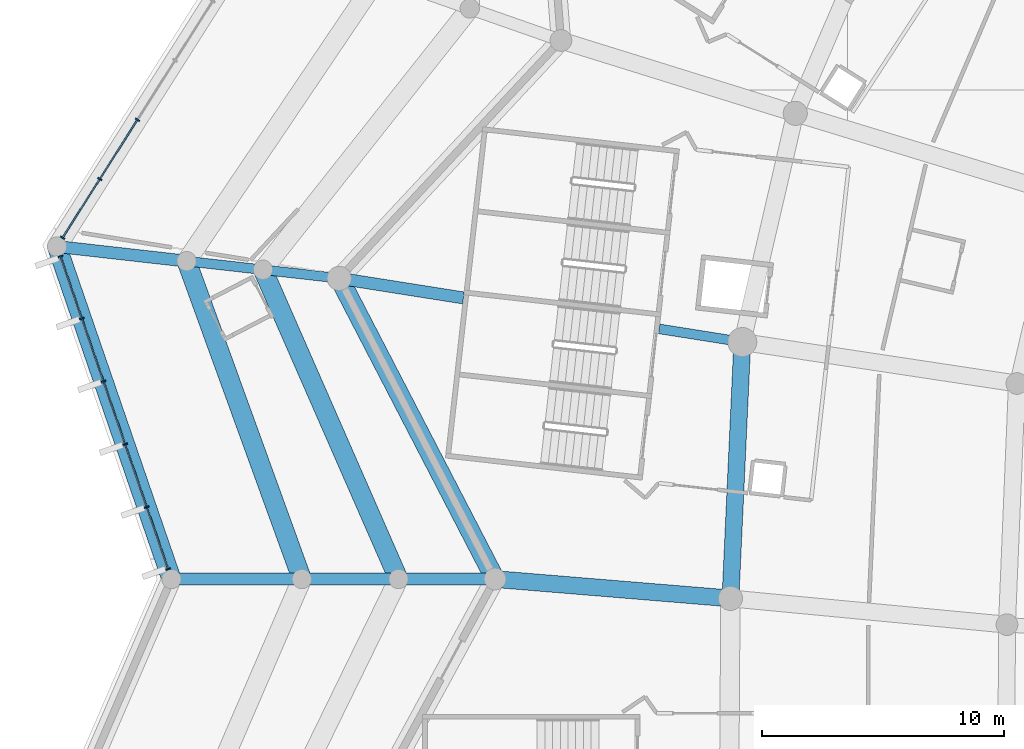
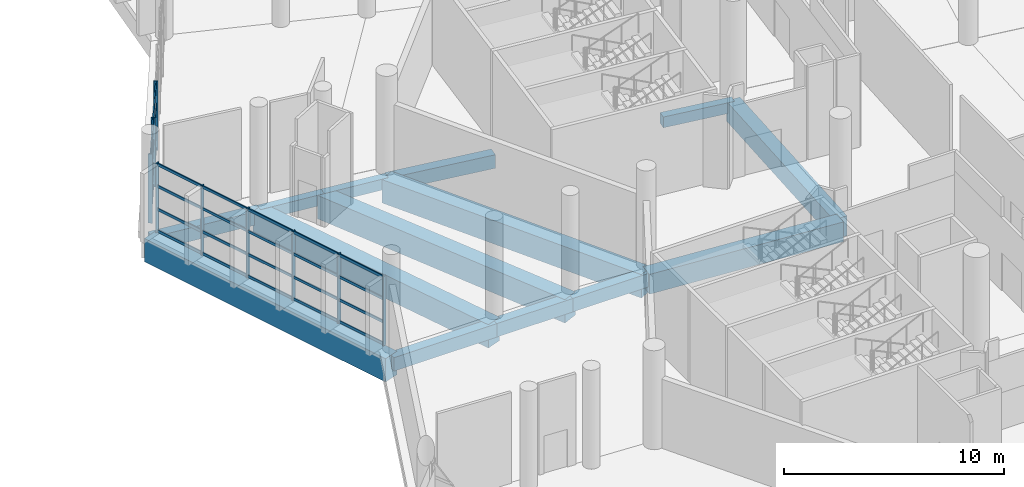
# One storey, part 71 of 271: 37 members, 14 beams, 2 elements without a shape of their own.
"""IFC4 building model written with IfcOpenShell, lengths in metres."""

from ifc_helpers import new_model, si_unit, direction, frame, origin, origin_2d, place, context, subcontext, project, spatial, rectangle, extrude, material, layer, layer_set, material_profile, profile_set, type_object, element, aggregate, save


model = new_model("IFC4")

# Units and contexts
model_context = context("Model", 3, precision=1e-05, world=origin(), true_north=direction((0.0, 1.0)))
body_context = subcontext(model_context, "Body", "Model", "MODEL_VIEW")
ifc_project = project(units=[si_unit("LENGTHUNIT", "METRE"), si_unit("AREAUNIT", "SQUARE_METRE"), si_unit("VOLUMEUNIT", "CUBIC_METRE"), si_unit("PLANEANGLEUNIT", "RADIAN"), si_unit("MASSUNIT", "GRAM", prefix="KILO")], contexts=[model_context])

# Site, building, storey
site_placement = place(None, origin())
site = spatial("IfcSite", under=ifc_project, at=site_placement, CompositionType="ELEMENT")
building_placement = place(site_placement, origin())
building = spatial("IfcBuilding", under=site, at=building_placement, Name="Meseta Stadium", CompositionType="ELEMENT")
storey_placement = place(building_placement, frame((0.0, 0.0, 6.5)))
storey = spatial("IfcBuildingStorey", under=building, at=storey_placement, Name="L01", CompositionType="ELEMENT", Elevation=6.5)

# Beams
ifc_material_1 = material(Name="Concrete C40/50", Category="concrete")
ifc_material_profile_1 = material_profile(ifc_material_1, rectangle(XDim=0.39990234375, YDim=0.60009765625, at=origin_2d()), Name="RC 400x600")
ifc_profile_set_1 = profile_set([ifc_material_profile_1], Name="Concrete C40/50")
beam_type_1 = type_object("IfcBeamType", Name="RC beam 400x600", PredefinedType="BEAM", material=ifc_profile_set_1)
beam_1_placement = place(storey_placement, frame((-84.36328125, 53.5654296875, -0.64990234375), z_axis=(-0.987745905014, 0.156070583799, 0.0), x_axis=(-0.156070583799, -0.987745905014, 0.0)))
element("IfcBeam", 1, at=beam_1_placement, inside=storey, type_object=beam_type_1, Name="L01 radial beam frame 28 line P to R", PredefinedType="BEAM", context=body_context, shape_type="SweptSolid", body=[
    extrude(rectangle(XDim=0.39990234375, YDim=0.60009765625, at=origin_2d()), origin(), (0.0, 0.0, 1.0), 3.482177734375),
])
beam_2_placement = place(storey_placement, frame((-101.0517578125, 56.202880859375, -0.64990234375), z_axis=(-0.99371595508, 0.111931231652, 0.0), x_axis=(-0.111931231652, -0.99371595508, 0.0)))
element("IfcBeam", 2, at=beam_2_placement, inside=storey, type_object=beam_type_1, Name="L01 radial beam frame 28 line R to M", PredefinedType="BEAM", context=body_context, shape_type="SweptSolid", body=[
    extrude(rectangle(XDim=0.39990234375, YDim=0.60009765625, at=origin_2d()), origin(), (0.0, 0.0, 1.0), 3.18017578125),
])
beam_3_placement = place(storey_placement, frame((-104.2119140625, 56.558837890625, -0.64990234375), z_axis=(-0.993708376267, 0.111998495247, 0.0), x_axis=(-0.111998495247, -0.993708376267, 0.0)))
element("IfcBeam", 3, at=beam_3_placement, inside=storey, type_object=beam_type_1, Name="L01 radial beam frame 28 line M to Q", PredefinedType="BEAM", context=body_context, shape_type="SweptSolid", body=[
    extrude(rectangle(XDim=0.39990234375, YDim=0.60009765625, at=origin_2d()), origin(), (0.0, 0.0, 1.0), 3.180419921875),
])
ifc_material_2 = material(Name="Concrete C40/50", Category="concrete")
ifc_material_profile_2 = material_profile(ifc_material_2, rectangle(XDim=0.5, YDim=0.75, at=origin_2d()), Name="RC 500x750")
ifc_profile_set_2 = profile_set([ifc_material_profile_2], Name="Concrete C40/50")
beam_type_2 = type_object("IfcBeamType", Name="RC beam 500x750", PredefinedType="BEAM", material=ifc_profile_set_2)
beam_4_placement = place(storey_placement, frame((-95.910400390625, 55.390380859375, -0.72509765625), z_axis=(-0.987742039994, 0.156095042932, 0.0), x_axis=(-0.156095042932, -0.987742039994, 0.0)))
element("IfcBeam", 4, at=beam_4_placement, inside=storey, type_object=beam_type_2, Name="L01 radial beam frame 28 line P to R", PredefinedType="BEAM", context=body_context, shape_type="SweptSolid", body=[
    extrude(rectangle(XDim=0.5, YDim=0.75, at=origin_2d()), origin(), (0.0, 0.0, 1.0), 5.205078125),
])
beam_5_placement = place(storey_placement, frame((-107.372314453125, 56.9150390625, -0.72509765625), z_axis=(-0.993714415722, 0.111944897098, 0.0), x_axis=(-0.111944897098, -0.993714415722, 0.0)))
element("IfcBeam", 5, at=beam_5_placement, inside=storey, type_object=beam_type_2, Name="L01 radial beam frame 28 line Q to O", PredefinedType="BEAM", context=body_context, shape_type="SweptSolid", body=[
    extrude(rectangle(XDim=0.5, YDim=0.75, at=origin_2d()), origin(), (0.0, 0.0, 1.0), 5.39990234375),
])
for number, where, z_axis, x_axis, name in (
    (6, (-94.60009765625, 43.75, -0.72509765625), (-1.0, 0.0, 0.0), (0.0, -1.0, 0.0), "L01 radial beam frame 29 line R to M"),
    (7, (-98.60009765625, 43.75, -0.72509765625), (-1.0, 0.0, 0.0), (0.0, -1.0, 0.0), "L01 radial beam frame 29 line M to Q"),
):
    element("IfcBeam", number, at=place(storey_placement, frame(where, z_axis=z_axis, x_axis=x_axis)), inside=storey, type_object=beam_type_2, Name=name, PredefinedType="BEAM", context=body_context, shape_type="SweptSolid", body=[
        extrude(rectangle(XDim=0.5, YDim=0.75, at=origin_2d()), origin(), (0.0, 0.0, 1.0), 4.0),
    ])
beam_6_placement = place(storey_placement, frame((-102.60009765625, 43.75, -0.72509765625), z_axis=(-1.0, 0.0, 0.0), x_axis=(0.0, -1.0, 0.0)))
element("IfcBeam", 8, at=beam_6_placement, inside=storey, type_object=beam_type_2, Name="L01 radial beam frame 29 line Q to O", PredefinedType="BEAM", context=body_context, shape_type="SweptSolid", body=[
    extrude(rectangle(XDim=0.5, YDim=0.75, at=origin_2d()), origin(), (0.0, 0.0, 1.0), 5.39990234375),
])
ifc_material_3 = material(Name="Concrete C40/50", Category="concrete")
ifc_material_profile_3 = material_profile(ifc_material_3, rectangle(XDim=0.699951171875, YDim=1.10009765625, at=origin_2d()), Name="RC 700x1100")
ifc_profile_set_3 = profile_set([ifc_material_profile_3], Name="Concrete C40/50")
beam_type_3 = type_object("IfcBeamType", Name="RC beam 700x1100", PredefinedType="BEAM", material=ifc_profile_set_3)
beam_7_placement = place(storey_placement, frame((-84.36328125, 53.5654296875, -0.89990234375), z_axis=(-0.046171416705, -0.998933531462, 0.0), x_axis=(0.998933531462, -0.046171416705, 0.0)))
element("IfcBeam", 9, at=beam_7_placement, inside=storey, type_object=beam_type_3, Name="L01 ring beam frame 28 line P", PredefinedType="BEAM", context=body_context, shape_type="SweptSolid", body=[
    extrude(rectangle(XDim=0.699951171875, YDim=1.10009765625, at=origin_2d()), origin(), (0.0, 0.0, 1.0), 10.628173828125),
])
beam_8_placement = place(storey_placement, frame((-84.85400390625, 42.948486328125, -0.89990234375), z_axis=(-0.996635391437, 0.081962775303, 0.0), x_axis=(-0.081962775303, -0.996635391437, 0.0)))
element("IfcBeam", 10, at=beam_8_placement, inside=storey, type_object=beam_type_3, Name="L01 radial beam frame 29 line P to R", PredefinedType="BEAM", context=body_context, shape_type="SweptSolid", body=[
    extrude(rectangle(XDim=0.699951171875, YDim=1.10009765625, at=origin_2d()), origin(), (0.0, 0.0, 1.0), 9.779052734375),
])
ifc_material_4 = material(Name="Concrete C40/50", Category="concrete")
ifc_material_profile_4 = material_profile(ifc_material_4, rectangle(XDim=0.800048828125, YDim=1.300048828125, at=origin_2d()), Name="RC 800x1300")
ifc_profile_set_4 = profile_set([ifc_material_profile_4], Name="Concrete C40/50")
beam_type_4 = type_object("IfcBeamType", Name="RC beam 800x1300", PredefinedType="BEAM", material=ifc_profile_set_4)
beam_9_placement = place(storey_placement, frame((-101.0517578125, 56.202880859375, -1.0), z_axis=(0.460014301189, -0.887911506121, 0.0), x_axis=(0.887911506121, 0.460014301189, 0.0)))
element("IfcBeam", 11, at=beam_9_placement, inside=storey, type_object=beam_type_4, Name="L01 ring beam frame 28 line R", PredefinedType="BEAM", context=body_context, shape_type="SweptSolid", body=[
    extrude(rectangle(XDim=0.800048828125, YDim=1.300048828125, at=origin_2d()), origin(), (0.0, 0.0, 1.0), 14.02490234375),
])
beam_10_placement = place(storey_placement, frame((-104.2119140625, 56.558837890625, -1.0), z_axis=(0.401295934377, -0.915948455456, 0.0), x_axis=(0.915948455456, 0.401295934377, 0.0)))
element("IfcBeam", 12, at=beam_10_placement, inside=storey, type_object=beam_type_4, Name="L01 ring beam frame 28 line M", PredefinedType="BEAM", context=body_context, shape_type="SweptSolid", body=[
    extrude(rectangle(XDim=0.800048828125, YDim=1.300048828125, at=origin_2d()), origin(), (0.0, 0.0, 1.0), 13.984130859375),
])
beam_11_placement = place(storey_placement, frame((-107.372314453125, 56.9150390625, -1.0), z_axis=(0.340792389295, -0.940138578827, 0.0), x_axis=(0.940138578827, 0.340792389295, 0.0)))
element("IfcBeam", 13, at=beam_11_placement, inside=storey, type_object=beam_type_4, Name="L01 ring beam frame 28 line Q", PredefinedType="BEAM", context=body_context, shape_type="SweptSolid", body=[
    extrude(rectangle(XDim=0.800048828125, YDim=1.300048828125, at=origin_2d()), origin(), (0.0, 0.0, 1.0), 14.00341796875),
])
beam_12_placement = place(storey_placement, frame((-112.73828125, 57.51953125, -1.0), z_axis=(0.325387125895, -0.945580889349, 0.0), x_axis=(0.945580889349, 0.325387125895, 0.0)))
element("IfcBeam", 14, at=beam_12_placement, inside=storey, type_object=beam_type_4, Name="L01 ring beam frame 28 line O", PredefinedType="BEAM", context=body_context, shape_type="SweptSolid", body=[
    extrude(rectangle(XDim=0.800048828125, YDim=1.300048828125, at=origin_2d()), origin(), (0.0, 0.0, 1.0), 14.56201171875),
])

# Curtain wall, members
ifc_material_5 = material(Name="Aluminium", Category="aluminium")
ifc_layer = layer(ifc_material_5, 0.199951171875)
ifc_layer_set = layer_set([ifc_layer], Name="Ring shopfront curtain wall")
curtain_wall_type = type_object("IfcCurtainWallType", Name="Ring shopfront curtain wall", PredefinedType="NOTDEFINED", material=ifc_layer_set)
curtain_wall_1_placement = place(storey_placement, origin())
curtain_wall_1 = element("IfcCurtainWall", 15, at=curtain_wall_1_placement, inside=storey, type_object=curtain_wall_type, Name="Ring glazing L01 F27", PredefinedType="NOTDEFINED")
ifc_material_6 = material(Name="Aluminium", Category="aluminium")
ifc_material_profile_5 = material_profile(ifc_material_6, rectangle(XDim=0.199951171875, YDim=0.06005859375, at=origin_2d()), Name="CW 200x60")
ifc_profile_set_5 = profile_set([ifc_material_profile_5], Name="Aluminium")
member_type_1 = type_object("IfcMemberType", Name="Ring CW mullion 60x200", PredefinedType="MULLION", material=ifc_profile_set_5)
member_1_placement = place(storey_placement, frame((-109.408447265625, 62.770263671875, 0.0), z_axis=(0.0, 0.0, 1.0), x_axis=(0.844491436677, -0.535569055659, 0.0)))
member_1 = element("IfcMember", 16, at=member_1_placement, type_object=member_type_1, Name="CWR1 mullion 4", PredefinedType="MULLION", context=body_context, shape_type="SweptSolid", body=[
    extrude(rectangle(XDim=0.199951171875, YDim=0.06005859375, at=origin_2d()), origin(), (0.0, 0.0, 1.0), 3.85009765625),
])
member_2_placement = place(storey_placement, frame((-110.96630859375, 60.313720703125, 0.0), z_axis=(0.0, 0.0, 1.0), x_axis=(0.844491436677, -0.535569055659, 0.0)))
member_2 = element("IfcMember", 17, at=member_2_placement, type_object=member_type_1, Name="CWR1 mullion 5", PredefinedType="MULLION", context=body_context, shape_type="SweptSolid", body=[
    extrude(rectangle(XDim=0.199951171875, YDim=0.06005859375, at=origin_2d()), origin(), (0.0, 0.0, 1.0), 3.85009765625),
])
member_3_placement = place(storey_placement, frame((-112.508056640625, 57.8828125, 0.0), z_axis=(0.0, 0.0, 1.0), x_axis=(0.844491436677, -0.535569055659, 0.0)))
member_3 = element("IfcMember", 18, at=member_3_placement, type_object=member_type_1, Name="CWR1 mullion 6", PredefinedType="MULLION", context=body_context, shape_type="SweptSolid", body=[
    extrude(rectangle(XDim=0.199951171875, YDim=0.06005859375, at=origin_2d()), origin(), (0.0, 0.0, 1.0), 3.85009765625),
])

curtain_wall_2_placement = place(storey_placement, origin())
curtain_wall_2 = element("IfcCurtainWall", 19, at=curtain_wall_2_placement, inside=storey, type_object=curtain_wall_type, Name="Ring glazing L01 F28", PredefinedType="NOTDEFINED")
member_4_placement = place(storey_placement, frame((-112.598388671875, 57.113037109375, 0.0), z_axis=(0.0, 0.0, 1.0), x_axis=(0.945581280042, 0.325385990532, 0.0)))
member_4 = element("IfcMember", 20, at=member_4_placement, type_object=member_type_1, Name="CWR1 mullion 1", PredefinedType="MULLION", context=body_context, shape_type="SweptSolid", body=[
    extrude(rectangle(XDim=0.199951171875, YDim=0.06005859375, at=origin_2d()), origin(), (0.0, 0.0, 1.0), 3.85009765625),
])
member_5_placement = place(storey_placement, frame((-111.712646484375, 54.538818359375, 0.0), z_axis=(0.0, 0.0, 1.0), x_axis=(0.945581280042, 0.325385990532, 0.0)))
member_5 = element("IfcMember", 21, at=member_5_placement, type_object=member_type_1, Name="CWR1 mullion 2", PredefinedType="MULLION", context=body_context, shape_type="SweptSolid", body=[
    extrude(rectangle(XDim=0.199951171875, YDim=0.06005859375, at=origin_2d()), origin(), (0.0, 0.0, 1.0), 3.85009765625),
])
member_6_placement = place(storey_placement, frame((-110.81689453125, 51.93603515625, 0.0), z_axis=(0.0, 0.0, 1.0), x_axis=(0.945581280042, 0.325385990532, 0.0)))
member_6 = element("IfcMember", 22, at=member_6_placement, type_object=member_type_1, Name="CWR1 mullion 3", PredefinedType="MULLION", context=body_context, shape_type="SweptSolid", body=[
    extrude(rectangle(XDim=0.199951171875, YDim=0.06005859375, at=origin_2d()), origin(), (0.0, 0.0, 1.0), 3.85009765625),
])
member_7_placement = place(storey_placement, frame((-109.92138671875, 49.33349609375, 0.0), z_axis=(0.0, 0.0, 1.0), x_axis=(0.945581280042, 0.325385990532, 0.0)))
member_7 = element("IfcMember", 23, at=member_7_placement, type_object=member_type_1, Name="CWR1 mullion 4", PredefinedType="MULLION", context=body_context, shape_type="SweptSolid", body=[
    extrude(rectangle(XDim=0.199951171875, YDim=0.06005859375, at=origin_2d()), origin(), (0.0, 0.0, 1.0), 3.85009765625),
])
member_8_placement = place(storey_placement, frame((-109.02587890625, 46.73095703125, 0.0), z_axis=(0.0, 0.0, 1.0), x_axis=(0.945581280042, 0.325385990532, 0.0)))
member_8 = element("IfcMember", 24, at=member_8_placement, type_object=member_type_1, Name="CWR1 mullion 5", PredefinedType="MULLION", context=body_context, shape_type="SweptSolid", body=[
    extrude(rectangle(XDim=0.199951171875, YDim=0.06005859375, at=origin_2d()), origin(), (0.0, 0.0, 1.0), 3.85009765625),
])
member_9_placement = place(storey_placement, frame((-108.139892578125, 44.156494140625, 0.0), z_axis=(0.0, 0.0, 1.0), x_axis=(0.945581280042, 0.325385990532, 0.0)))
member_9 = element("IfcMember", 25, at=member_9_placement, type_object=member_type_1, Name="CWR1 mullion 6", PredefinedType="MULLION", context=body_context, shape_type="SweptSolid", body=[
    extrude(rectangle(XDim=0.199951171875, YDim=0.06005859375, at=origin_2d()), origin(), (0.0, 0.0, 1.0), 3.85009765625),
])

# Member
ifc_material_7 = material(Name="Aluminium", Category="aluminium")
ifc_material_profile_6 = material_profile(ifc_material_7, rectangle(XDim=0.06005859375, YDim=0.14990234375, at=origin_2d()), Name="CW 60x150")
ifc_profile_set_6 = profile_set([ifc_material_profile_6], Name="Aluminium")
member_type_2 = type_object("IfcMemberType", Name="Ring CW transom 60x150", PredefinedType="USERDEFINED", material=ifc_profile_set_6)
member_10_placement = place(storey_placement, frame((-109.424560546875, 62.744873046875, 0.074951171875), z_axis=(-0.535549479234, -0.844503851556, 0.0), x_axis=(0.844503851556, -0.535549479234, 0.0)))
member_10 = element("IfcMember", 26, at=member_10_placement, type_object=member_type_2, Name="CWR1 transom 4.1", ObjectType="TRANSOM", PredefinedType="USERDEFINED", context=body_context, shape_type="SweptSolid", body=[
    extrude(rectangle(XDim=0.06005859375, YDim=0.14990234375, at=origin_2d()), origin(), (0.0, 0.0, 1.0), 2.8486328125),
])

member_11_placement = place(storey_placement, frame((-109.424560546875, 62.744873046875, 1.283447265625), z_axis=(-0.535549479234, -0.844503851556, 0.0), x_axis=(0.844503851556, -0.535549479234, 0.0)))
member_11 = element("IfcMember", 27, at=member_11_placement, type_object=member_type_2, Name="CWR1 transom 4.2", ObjectType="TRANSOM", PredefinedType="USERDEFINED", context=body_context, shape_type="SweptSolid", body=[
    extrude(rectangle(XDim=0.06005859375, YDim=0.14990234375, at=origin_2d()), origin(), (0.0, 0.0, 1.0), 2.8486328125),
])

member_12_placement = place(storey_placement, frame((-109.424560546875, 62.744873046875, 2.566650390625), z_axis=(-0.535549479234, -0.844503851556, 0.0), x_axis=(0.844503851556, -0.535549479234, 0.0)))
member_12 = element("IfcMember", 28, at=member_12_placement, type_object=member_type_2, Name="CWR1 transom 4.3", ObjectType="TRANSOM", PredefinedType="USERDEFINED", context=body_context, shape_type="SweptSolid", body=[
    extrude(rectangle(XDim=0.06005859375, YDim=0.14990234375, at=origin_2d()), origin(), (0.0, 0.0, 1.0), 2.8486328125),
])

member_13_placement = place(storey_placement, frame((-109.424560546875, 62.744873046875, 3.77490234375), z_axis=(-0.535549479234, -0.844503851556, 0.0), x_axis=(0.844503851556, -0.535549479234, 0.0)))
member_13 = element("IfcMember", 29, at=member_13_placement, type_object=member_type_2, Name="CWR1 transom 4.4", ObjectType="TRANSOM", PredefinedType="USERDEFINED", context=body_context, shape_type="SweptSolid", body=[
    extrude(rectangle(XDim=0.06005859375, YDim=0.14990234375, at=origin_2d()), origin(), (0.0, 0.0, 1.0), 2.8486328125),
])

member_14_placement = place(storey_placement, frame((-110.982421875, 60.28857421875, 0.074951171875), z_axis=(-0.535569142157, -0.84449138182, 0.0), x_axis=(0.84449138182, -0.535569142157, 0.0)))
member_14 = element("IfcMember", 30, at=member_14_placement, type_object=member_type_2, Name="CWR1 transom 5.1", ObjectType="TRANSOM", PredefinedType="USERDEFINED", context=body_context, shape_type="SweptSolid", body=[
    extrude(rectangle(XDim=0.06005859375, YDim=0.14990234375, at=origin_2d()), origin(), (0.0, 0.0, 1.0), 2.819091796875),
])

member_15_placement = place(storey_placement, frame((-110.982421875, 60.28857421875, 1.283447265625), z_axis=(-0.535569142157, -0.84449138182, 0.0), x_axis=(0.84449138182, -0.535569142157, 0.0)))
member_15 = element("IfcMember", 31, at=member_15_placement, type_object=member_type_2, Name="CWR1 transom 5.2", ObjectType="TRANSOM", PredefinedType="USERDEFINED", context=body_context, shape_type="SweptSolid", body=[
    extrude(rectangle(XDim=0.06005859375, YDim=0.14990234375, at=origin_2d()), origin(), (0.0, 0.0, 1.0), 2.819091796875),
])

member_16_placement = place(storey_placement, frame((-110.982421875, 60.28857421875, 2.566650390625), z_axis=(-0.535569142157, -0.84449138182, 0.0), x_axis=(0.84449138182, -0.535569142157, 0.0)))
member_16 = element("IfcMember", 32, at=member_16_placement, type_object=member_type_2, Name="CWR1 transom 5.3", ObjectType="TRANSOM", PredefinedType="USERDEFINED", context=body_context, shape_type="SweptSolid", body=[
    extrude(rectangle(XDim=0.06005859375, YDim=0.14990234375, at=origin_2d()), origin(), (0.0, 0.0, 1.0), 2.819091796875),
])

member_17_placement = place(storey_placement, frame((-110.982421875, 60.28857421875, 3.77490234375), z_axis=(-0.535569142157, -0.84449138182, 0.0), x_axis=(0.84449138182, -0.535569142157, 0.0)))
member_17 = element("IfcMember", 33, at=member_17_placement, type_object=member_type_2, Name="CWR1 transom 5.4", ObjectType="TRANSOM", PredefinedType="USERDEFINED", context=body_context, shape_type="SweptSolid", body=[
    extrude(rectangle(XDim=0.06005859375, YDim=0.14990234375, at=origin_2d()), origin(), (0.0, 0.0, 1.0), 2.819091796875),
])

aggregate(curtain_wall_1, [member_1, member_2, member_3, member_10, member_11, member_12, member_13, member_14, member_15, member_16, member_17])

member_18_placement = place(storey_placement, frame((-112.588623046875, 57.084716796875, 0.074951171875), z_axis=(0.325346281899, -0.945594943332, 0.0), x_axis=(0.945594943332, 0.325346281899, 0.0)))
member_18 = element("IfcMember", 34, at=member_18_placement, type_object=member_type_2, Name="CWR1 transom 1.1", ObjectType="TRANSOM", PredefinedType="USERDEFINED", context=body_context, shape_type="SweptSolid", body=[
    extrude(rectangle(XDim=0.06005859375, YDim=0.14990234375, at=origin_2d()), origin(), (0.0, 0.0, 1.0), 2.662353515625),
])

member_19_placement = place(storey_placement, frame((-112.588623046875, 57.084716796875, 1.283447265625), z_axis=(0.325346281899, -0.945594943332, 0.0), x_axis=(0.945594943332, 0.325346281899, 0.0)))
member_19 = element("IfcMember", 35, at=member_19_placement, type_object=member_type_2, Name="CWR1 transom 1.2", ObjectType="TRANSOM", PredefinedType="USERDEFINED", context=body_context, shape_type="SweptSolid", body=[
    extrude(rectangle(XDim=0.06005859375, YDim=0.14990234375, at=origin_2d()), origin(), (0.0, 0.0, 1.0), 2.662353515625),
])

member_20_placement = place(storey_placement, frame((-112.588623046875, 57.084716796875, 2.566650390625), z_axis=(0.325346281899, -0.945594943332, 0.0), x_axis=(0.945594943332, 0.325346281899, 0.0)))
member_20 = element("IfcMember", 36, at=member_20_placement, type_object=member_type_2, Name="CWR1 transom 1.3", ObjectType="TRANSOM", PredefinedType="USERDEFINED", context=body_context, shape_type="SweptSolid", body=[
    extrude(rectangle(XDim=0.06005859375, YDim=0.14990234375, at=origin_2d()), origin(), (0.0, 0.0, 1.0), 2.662353515625),
])

member_21_placement = place(storey_placement, frame((-112.588623046875, 57.084716796875, 3.77490234375), z_axis=(0.325346281899, -0.945594943332, 0.0), x_axis=(0.945594943332, 0.325346281899, 0.0)))
member_21 = element("IfcMember", 37, at=member_21_placement, type_object=member_type_2, Name="CWR1 transom 1.4", ObjectType="TRANSOM", PredefinedType="USERDEFINED", context=body_context, shape_type="SweptSolid", body=[
    extrude(rectangle(XDim=0.06005859375, YDim=0.14990234375, at=origin_2d()), origin(), (0.0, 0.0, 1.0), 2.662353515625),
])

member_22_placement = place(storey_placement, frame((-111.702880859375, 54.510498046875, 0.074951171875), z_axis=(0.32543452855, -0.945564576128, 0.0), x_axis=(0.945564576128, 0.32543452855, 0.0)))
member_22 = element("IfcMember", 38, at=member_22_placement, type_object=member_type_2, Name="CWR1 transom 2.1", ObjectType="TRANSOM", PredefinedType="USERDEFINED", context=body_context, shape_type="SweptSolid", body=[
    extrude(rectangle(XDim=0.06005859375, YDim=0.14990234375, at=origin_2d()), origin(), (0.0, 0.0, 1.0), 2.6923828125),
])

member_23_placement = place(storey_placement, frame((-111.702880859375, 54.510498046875, 1.283447265625), z_axis=(0.32543452855, -0.945564576128, 0.0), x_axis=(0.945564576128, 0.32543452855, 0.0)))
member_23 = element("IfcMember", 39, at=member_23_placement, type_object=member_type_2, Name="CWR1 transom 2.2", ObjectType="TRANSOM", PredefinedType="USERDEFINED", context=body_context, shape_type="SweptSolid", body=[
    extrude(rectangle(XDim=0.06005859375, YDim=0.14990234375, at=origin_2d()), origin(), (0.0, 0.0, 1.0), 2.6923828125),
])

member_24_placement = place(storey_placement, frame((-111.702880859375, 54.510498046875, 2.566650390625), z_axis=(0.32543452855, -0.945564576128, 0.0), x_axis=(0.945564576128, 0.32543452855, 0.0)))
member_24 = element("IfcMember", 40, at=member_24_placement, type_object=member_type_2, Name="CWR1 transom 2.3", ObjectType="TRANSOM", PredefinedType="USERDEFINED", context=body_context, shape_type="SweptSolid", body=[
    extrude(rectangle(XDim=0.06005859375, YDim=0.14990234375, at=origin_2d()), origin(), (0.0, 0.0, 1.0), 2.6923828125),
])

member_25_placement = place(storey_placement, frame((-111.702880859375, 54.510498046875, 3.77490234375), z_axis=(0.32543452855, -0.945564576128, 0.0), x_axis=(0.945564576128, 0.32543452855, 0.0)))
member_25 = element("IfcMember", 41, at=member_25_placement, type_object=member_type_2, Name="CWR1 transom 2.4", ObjectType="TRANSOM", PredefinedType="USERDEFINED", context=body_context, shape_type="SweptSolid", body=[
    extrude(rectangle(XDim=0.06005859375, YDim=0.14990234375, at=origin_2d()), origin(), (0.0, 0.0, 1.0), 2.6923828125),
])

member_26_placement = place(storey_placement, frame((-110.80712890625, 51.90771484375, 0.074951171875), z_axis=(0.32535345265, -0.945592476096, 0.0), x_axis=(0.945592476096, 0.32535345265, 0.0)))
member_26 = element("IfcMember", 42, at=member_26_placement, type_object=member_type_2, Name="CWR1 transom 3.1", ObjectType="TRANSOM", PredefinedType="USERDEFINED", context=body_context, shape_type="SweptSolid", body=[
    extrude(rectangle(XDim=0.06005859375, YDim=0.14990234375, at=origin_2d()), origin(), (0.0, 0.0, 1.0), 2.6923828125),
])

member_27_placement = place(storey_placement, frame((-110.80712890625, 51.90771484375, 1.283447265625), z_axis=(0.32535345265, -0.945592476096, 0.0), x_axis=(0.945592476096, 0.32535345265, 0.0)))
member_27 = element("IfcMember", 43, at=member_27_placement, type_object=member_type_2, Name="CWR1 transom 3.2", ObjectType="TRANSOM", PredefinedType="USERDEFINED", context=body_context, shape_type="SweptSolid", body=[
    extrude(rectangle(XDim=0.06005859375, YDim=0.14990234375, at=origin_2d()), origin(), (0.0, 0.0, 1.0), 2.6923828125),
])

member_28_placement = place(storey_placement, frame((-110.80712890625, 51.90771484375, 2.566650390625), z_axis=(0.32535345265, -0.945592476096, 0.0), x_axis=(0.945592476096, 0.32535345265, 0.0)))
member_28 = element("IfcMember", 44, at=member_28_placement, type_object=member_type_2, Name="CWR1 transom 3.3", ObjectType="TRANSOM", PredefinedType="USERDEFINED", context=body_context, shape_type="SweptSolid", body=[
    extrude(rectangle(XDim=0.06005859375, YDim=0.14990234375, at=origin_2d()), origin(), (0.0, 0.0, 1.0), 2.6923828125),
])

member_29_placement = place(storey_placement, frame((-110.80712890625, 51.90771484375, 3.77490234375), z_axis=(0.32535345265, -0.945592476096, 0.0), x_axis=(0.945592476096, 0.32535345265, 0.0)))
member_29 = element("IfcMember", 45, at=member_29_placement, type_object=member_type_2, Name="CWR1 transom 3.4", ObjectType="TRANSOM", PredefinedType="USERDEFINED", context=body_context, shape_type="SweptSolid", body=[
    extrude(rectangle(XDim=0.06005859375, YDim=0.14990234375, at=origin_2d()), origin(), (0.0, 0.0, 1.0), 2.6923828125),
])

member_30_placement = place(storey_placement, frame((-109.91162109375, 49.30517578125, 0.074951171875), z_axis=(0.32535345265, -0.945592476096, 0.0), x_axis=(0.945592476096, 0.32535345265, 0.0)))
member_30 = element("IfcMember", 46, at=member_30_placement, type_object=member_type_2, Name="CWR1 transom 4.1", ObjectType="TRANSOM", PredefinedType="USERDEFINED", context=body_context, shape_type="SweptSolid", body=[
    extrude(rectangle(XDim=0.06005859375, YDim=0.14990234375, at=origin_2d()), origin(), (0.0, 0.0, 1.0), 2.6923828125),
])

member_31_placement = place(storey_placement, frame((-109.91162109375, 49.30517578125, 1.283447265625), z_axis=(0.32535345265, -0.945592476096, 0.0), x_axis=(0.945592476096, 0.32535345265, 0.0)))
member_31 = element("IfcMember", 47, at=member_31_placement, type_object=member_type_2, Name="CWR1 transom 4.2", ObjectType="TRANSOM", PredefinedType="USERDEFINED", context=body_context, shape_type="SweptSolid", body=[
    extrude(rectangle(XDim=0.06005859375, YDim=0.14990234375, at=origin_2d()), origin(), (0.0, 0.0, 1.0), 2.6923828125),
])

member_32_placement = place(storey_placement, frame((-109.91162109375, 49.30517578125, 2.566650390625), z_axis=(0.32535345265, -0.945592476096, 0.0), x_axis=(0.945592476096, 0.32535345265, 0.0)))
member_32 = element("IfcMember", 48, at=member_32_placement, type_object=member_type_2, Name="CWR1 transom 4.3", ObjectType="TRANSOM", PredefinedType="USERDEFINED", context=body_context, shape_type="SweptSolid", body=[
    extrude(rectangle(XDim=0.06005859375, YDim=0.14990234375, at=origin_2d()), origin(), (0.0, 0.0, 1.0), 2.6923828125),
])

member_33_placement = place(storey_placement, frame((-109.91162109375, 49.30517578125, 3.77490234375), z_axis=(0.32535345265, -0.945592476096, 0.0), x_axis=(0.945592476096, 0.32535345265, 0.0)))
member_33 = element("IfcMember", 49, at=member_33_placement, type_object=member_type_2, Name="CWR1 transom 4.4", ObjectType="TRANSOM", PredefinedType="USERDEFINED", context=body_context, shape_type="SweptSolid", body=[
    extrude(rectangle(XDim=0.06005859375, YDim=0.14990234375, at=origin_2d()), origin(), (0.0, 0.0, 1.0), 2.6923828125),
])

member_34_placement = place(storey_placement, frame((-109.01611328125, 46.702392578125, 0.074951171875), z_axis=(0.325428270426, -0.94556672996, 0.0), x_axis=(0.94556672996, 0.325428270426, 0.0)))
member_34 = element("IfcMember", 50, at=member_34_placement, type_object=member_type_2, Name="CWR1 transom 5.1", ObjectType="TRANSOM", PredefinedType="USERDEFINED", context=body_context, shape_type="SweptSolid", body=[
    extrude(rectangle(XDim=0.06005859375, YDim=0.14990234375, at=origin_2d()), origin(), (0.0, 0.0, 1.0), 2.66259765625),
])

member_35_placement = place(storey_placement, frame((-109.01611328125, 46.702392578125, 1.283447265625), z_axis=(0.325428270426, -0.94556672996, 0.0), x_axis=(0.94556672996, 0.325428270426, 0.0)))
member_35 = element("IfcMember", 51, at=member_35_placement, type_object=member_type_2, Name="CWR1 transom 5.2", ObjectType="TRANSOM", PredefinedType="USERDEFINED", context=body_context, shape_type="SweptSolid", body=[
    extrude(rectangle(XDim=0.06005859375, YDim=0.14990234375, at=origin_2d()), origin(), (0.0, 0.0, 1.0), 2.66259765625),
])

member_36_placement = place(storey_placement, frame((-109.01611328125, 46.702392578125, 2.566650390625), z_axis=(0.325428270426, -0.94556672996, 0.0), x_axis=(0.94556672996, 0.325428270426, 0.0)))
member_36 = element("IfcMember", 52, at=member_36_placement, type_object=member_type_2, Name="CWR1 transom 5.3", ObjectType="TRANSOM", PredefinedType="USERDEFINED", context=body_context, shape_type="SweptSolid", body=[
    extrude(rectangle(XDim=0.06005859375, YDim=0.14990234375, at=origin_2d()), origin(), (0.0, 0.0, 1.0), 2.66259765625),
])

member_37_placement = place(storey_placement, frame((-109.01611328125, 46.702392578125, 3.77490234375), z_axis=(0.325428270426, -0.94556672996, 0.0), x_axis=(0.94556672996, 0.325428270426, 0.0)))
member_37 = element("IfcMember", 53, at=member_37_placement, type_object=member_type_2, Name="CWR1 transom 5.4", ObjectType="TRANSOM", PredefinedType="USERDEFINED", context=body_context, shape_type="SweptSolid", body=[
    extrude(rectangle(XDim=0.06005859375, YDim=0.14990234375, at=origin_2d()), origin(), (0.0, 0.0, 1.0), 2.66259765625),
])

aggregate(curtain_wall_2, [member_4, member_5, member_6, member_7, member_8, member_9, member_18, member_19, member_20, member_21, member_22, member_23, member_24, member_25, member_26, member_27, member_28, member_29, member_30, member_31, member_32, member_33, member_34, member_35, member_36, member_37])

save(model, "model.ifc")
